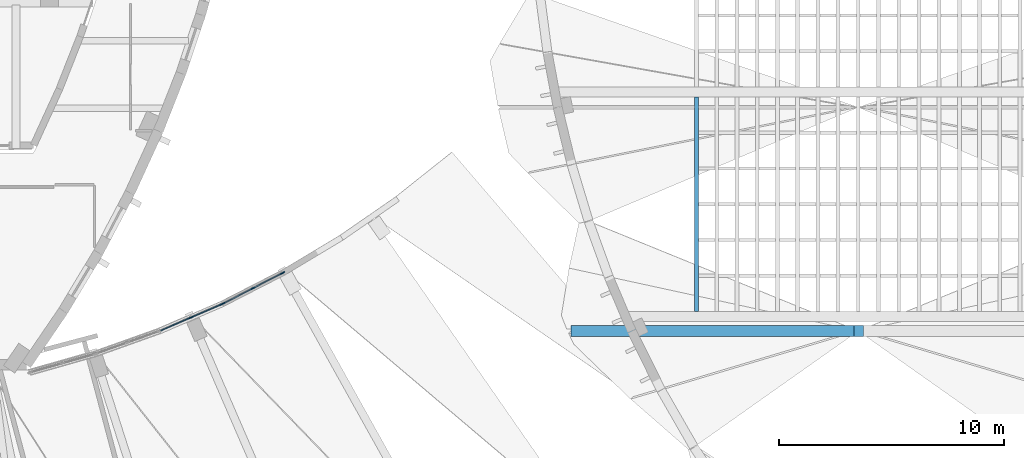
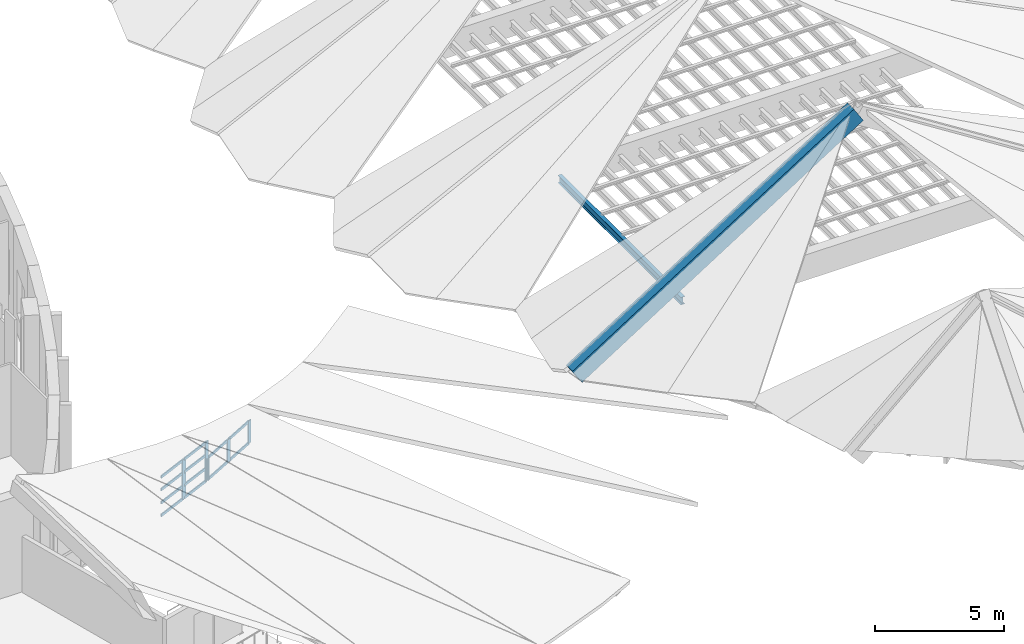
# One storey, part 17 of 56: 17 members, 2 beams, 2 elements without a shape of their own.
"""IFC4 building model written with IfcOpenShell, lengths in metres."""

from ifc_helpers import new_model, si_unit, direction, frame, origin, origin_2d, place, context, subcontext, project, spatial, rectangle, i_section, extrude, material, material_profile, profile_set, type_object, element, aggregate, save


model = new_model("IFC4")

# Units and contexts
model_context = context("Model", 3, precision=1e-05, world=origin(), true_north=direction((0.0, 1.0)))
body_context = subcontext(model_context, "Body", "Model", "MODEL_VIEW")
ifc_project = project(units=[si_unit("LENGTHUNIT", "METRE"), si_unit("AREAUNIT", "SQUARE_METRE"), si_unit("VOLUMEUNIT", "CUBIC_METRE"), si_unit("PLANEANGLEUNIT", "RADIAN"), si_unit("MASSUNIT", "GRAM", prefix="KILO")], contexts=[model_context])

# Site, building, storey
site_placement = place(None, origin())
site = spatial("IfcSite", under=ifc_project, at=site_placement, CompositionType="ELEMENT")
building_placement = place(site_placement, origin())
building = spatial("IfcBuilding", under=site, at=building_placement, Name="Tide Square Theatres", CompositionType="ELEMENT")
storey_placement = place(building_placement, frame((0.0, 0.0, 10.199951171875)))
storey = spatial("IfcBuildingStorey", under=building, at=storey_placement, Name="L02", CompositionType="ELEMENT", Elevation=10.199951171875)

# Curtain wall, members
ifc_material_1 = material(Name="Aluminium 6063-T5", Category="aluminium")
curtain_wall_type_1 = type_object("IfcCurtainWallType", Name="Stick system curtain wall 1200 high", PredefinedType="USERDEFINED", material=ifc_material_1)
curtain_wall_1_placement = place(storey_placement, origin())
curtain_wall_1 = element("IfcCurtainWall", 1, at=curtain_wall_1_placement, inside=storey, type_object=curtain_wall_type_1, Name="Foyer inner curtain wall", ObjectType="STICK SYSTEM", PredefinedType="USERDEFINED")
ifc_material_2 = material(Name="Aluminium 6063-T5", Category="aluminium")
ifc_material_profile_1 = material_profile(ifc_material_2, rectangle(XDim=0.050048828125, YDim=0.199951171875, at=origin_2d()))
ifc_profile_set_1 = profile_set([ifc_material_profile_1], Name="Aluminium 6063-T5")
member_type_1 = type_object("IfcMemberType", Name="Aluminium mullion 50 x 200", PredefinedType="MULLION", material=ifc_profile_set_1)
member_1_placement = place(storey_placement, frame((106.376220703125, 27.6669921875, 0.0), z_axis=(0.0, 0.0, 1.0), x_axis=(0.456563895791, -0.889690625476, 0.0)))
member_1 = element("IfcMember", 2, at=member_1_placement, type_object=member_type_1, Name="CW-07 mullion 1", PredefinedType="MULLION", context=body_context, shape_type="SweptSolid", body=[
    extrude(rectangle(XDim=0.050048828125, YDim=0.199951171875, at=origin_2d()), origin(), (0.0, 0.0, 1.0), 1.067626953125),
])
member_2_placement = place(storey_placement, frame((105.047119140625, 26.98486328125, 0.0), z_axis=(0.0, 0.0, 1.0), x_axis=(0.456563895791, -0.889690625476, 0.0)))
member_2 = element("IfcMember", 3, at=member_2_placement, type_object=member_type_1, Name="CW-07 mullion 2", PredefinedType="MULLION", context=body_context, shape_type="SweptSolid", body=[
    extrude(rectangle(XDim=0.050048828125, YDim=0.199951171875, at=origin_2d()), origin(), (0.0, 0.0, 1.0), 1.067626953125),
])
member_3_placement = place(storey_placement, frame((103.7177734375, 26.302734375, 0.0), z_axis=(0.0, 0.0, 1.0), x_axis=(0.456563895791, -0.889690625476, 0.0)))
member_3 = element("IfcMember", 4, at=member_3_placement, type_object=member_type_1, Name="CW-07 mullion 3", PredefinedType="MULLION", context=body_context, shape_type="SweptSolid", body=[
    extrude(rectangle(XDim=0.050048828125, YDim=0.199951171875, at=origin_2d()), origin(), (0.0, 0.0, 1.0), 1.067626953125),
])

ifc_material_3 = material(Name="Aluminium 6063-T5", Category="aluminium")
curtain_wall_type_2 = type_object("IfcCurtainWallType", Name="Stick system curtain wall 1800 high", PredefinedType="USERDEFINED", material=ifc_material_3)
curtain_wall_2_placement = place(storey_placement, origin())
curtain_wall_2 = element("IfcCurtainWall", 5, at=curtain_wall_2_placement, inside=storey, type_object=curtain_wall_type_2, Name="Foyer inner curtain wall", ObjectType="STICK SYSTEM", PredefinedType="USERDEFINED")
member_4_placement = place(storey_placement, frame((103.672607421875, 26.281494140625, 0.0), z_axis=(0.0, 0.0, 1.0), x_axis=(0.396980103276, -0.917827215549, 0.0)))
member_4 = element("IfcMember", 6, at=member_4_placement, type_object=member_type_1, Name="CW-08 mullion 1", PredefinedType="MULLION", context=body_context, shape_type="SweptSolid", body=[
    extrude(rectangle(XDim=0.050048828125, YDim=0.199951171875, at=origin_2d()), origin(), (0.0, 0.0, 1.0), 1.870361328125),
])
member_5_placement = place(storey_placement, frame((102.301513671875, 25.6884765625, 0.0), z_axis=(0.0, 0.0, 1.0), x_axis=(0.396980103276, -0.917827215549, 0.0)))
member_5 = element("IfcMember", 7, at=member_5_placement, type_object=member_type_1, Name="CW-08 mullion 2", PredefinedType="MULLION", context=body_context, shape_type="SweptSolid", body=[
    extrude(rectangle(XDim=0.050048828125, YDim=0.199951171875, at=origin_2d()), origin(), (0.0, 0.0, 1.0), 1.870361328125),
])

# Member
ifc_material_4 = material(Name="Aluminium 6063-T5", Category="aluminium")
ifc_material_profile_2 = material_profile(ifc_material_4, rectangle(XDim=0.050048828125, YDim=0.125, at=origin_2d()))
ifc_profile_set_2 = profile_set([ifc_material_profile_2], Name="Aluminium 6063-T5")
member_type_2 = type_object("IfcMemberType", Name="Aluminium transom 50 x 125", PredefinedType="USERDEFINED", material=ifc_profile_set_2)
member_6_placement = place(storey_placement, frame((106.35400390625, 27.655517578125, 0.025146484375), z_axis=(-0.88971181746, -0.456522597329, 0.0), x_axis=(0.456522597329, -0.88971181746, 0.0)))
member_6 = element("IfcMember", 8, at=member_6_placement, type_object=member_type_2, Name="CW-07 transom 1.1", ObjectType="TRANSOM", PredefinedType="USERDEFINED", context=body_context, shape_type="SweptSolid", body=[
    extrude(rectangle(XDim=0.050048828125, YDim=0.125, at=origin_2d()), origin(), (0.0, 0.0, 1.0), 1.44384765625),
])

member_7_placement = place(storey_placement, frame((106.35400390625, 27.655517578125, 1.042724609375), z_axis=(-0.88971181746, -0.456522597329, 0.0), x_axis=(0.456522597329, -0.88971181746, 0.0)))
member_7 = element("IfcMember", 9, at=member_7_placement, type_object=member_type_2, Name="CW-07 transom 1.2", ObjectType="TRANSOM", PredefinedType="USERDEFINED", context=body_context, shape_type="SweptSolid", body=[
    extrude(rectangle(XDim=0.050048828125, YDim=0.125, at=origin_2d()), origin(), (0.0, 0.0, 1.0), 1.44384765625),
])

member_8_placement = place(storey_placement, frame((105.024658203125, 26.973388671875, 0.025146484375), z_axis=(-0.88971181746, -0.456522597329, 0.0), x_axis=(0.456522597329, -0.88971181746, 0.0)))
member_8 = element("IfcMember", 10, at=member_8_placement, type_object=member_type_2, Name="CW-07 transom 2.1", ObjectType="TRANSOM", PredefinedType="USERDEFINED", context=body_context, shape_type="SweptSolid", body=[
    extrude(rectangle(XDim=0.050048828125, YDim=0.125, at=origin_2d()), origin(), (0.0, 0.0, 1.0), 1.44384765625),
])

member_9_placement = place(storey_placement, frame((105.024658203125, 26.973388671875, 1.042724609375), z_axis=(-0.88971181746, -0.456522597329, 0.0), x_axis=(0.456522597329, -0.88971181746, 0.0)))
member_9 = element("IfcMember", 11, at=member_9_placement, type_object=member_type_2, Name="CW-07 transom 2.2", ObjectType="TRANSOM", PredefinedType="USERDEFINED", context=body_context, shape_type="SweptSolid", body=[
    extrude(rectangle(XDim=0.050048828125, YDim=0.125, at=origin_2d()), origin(), (0.0, 0.0, 1.0), 1.44384765625),
])

aggregate(curtain_wall_1, [member_1, member_2, member_3, member_6, member_7, member_8, member_9])

member_10_placement = place(storey_placement, frame((103.649658203125, 26.271484375, 0.025146484375), z_axis=(-0.917810413331, -0.397018948139, 0.0), x_axis=(0.397018948139, -0.917810413331, 0.0)))
member_10 = element("IfcMember", 12, at=member_10_placement, type_object=member_type_2, Name="CW-08 transom 1.1", ObjectType="TRANSOM", PredefinedType="USERDEFINED", context=body_context, shape_type="SweptSolid", body=[
    extrude(rectangle(XDim=0.050048828125, YDim=0.125, at=origin_2d()), origin(), (0.0, 0.0, 1.0), 1.44384765625),
])

member_11_placement = place(storey_placement, frame((103.649658203125, 26.271484375, 0.62353515625), z_axis=(-0.917810413331, -0.397018948139, 0.0), x_axis=(0.397018948139, -0.917810413331, 0.0)))
member_11 = element("IfcMember", 13, at=member_11_placement, type_object=member_type_2, Name="CW-08 transom 1.2", ObjectType="TRANSOM", PredefinedType="USERDEFINED", context=body_context, shape_type="SweptSolid", body=[
    extrude(rectangle(XDim=0.050048828125, YDim=0.125, at=origin_2d()), origin(), (0.0, 0.0, 1.0), 1.44384765625),
])

member_12_placement = place(storey_placement, frame((103.649658203125, 26.271484375, 1.2470703125), z_axis=(-0.917810413331, -0.397018948139, 0.0), x_axis=(0.397018948139, -0.917810413331, 0.0)))
member_12 = element("IfcMember", 14, at=member_12_placement, type_object=member_type_2, Name="CW-08 transom 1.3", ObjectType="TRANSOM", PredefinedType="USERDEFINED", context=body_context, shape_type="SweptSolid", body=[
    extrude(rectangle(XDim=0.050048828125, YDim=0.125, at=origin_2d()), origin(), (0.0, 0.0, 1.0), 1.44384765625),
])

member_13_placement = place(storey_placement, frame((103.649658203125, 26.271484375, 1.845458984375), z_axis=(-0.917810413331, -0.397018948139, 0.0), x_axis=(0.397018948139, -0.917810413331, 0.0)))
member_13 = element("IfcMember", 15, at=member_13_placement, type_object=member_type_2, Name="CW-08 transom 1.4", ObjectType="TRANSOM", PredefinedType="USERDEFINED", context=body_context, shape_type="SweptSolid", body=[
    extrude(rectangle(XDim=0.050048828125, YDim=0.125, at=origin_2d()), origin(), (0.0, 0.0, 1.0), 1.44384765625),
])

member_14_placement = place(storey_placement, frame((102.278564453125, 25.678466796875, 0.025146484375), z_axis=(-0.917837059484, -0.396957343096, 0.0), x_axis=(0.396957343096, -0.917837059484, 0.0)))
member_14 = element("IfcMember", 16, at=member_14_placement, type_object=member_type_2, Name="CW-08 transom 2.1", ObjectType="TRANSOM", PredefinedType="USERDEFINED", context=body_context, shape_type="SweptSolid", body=[
    extrude(rectangle(XDim=0.050048828125, YDim=0.125, at=origin_2d()), origin(), (0.0, 0.0, 1.0), 1.444091796875),
])

member_15_placement = place(storey_placement, frame((102.278564453125, 25.678466796875, 0.62353515625), z_axis=(-0.917837059484, -0.396957343096, 0.0), x_axis=(0.396957343096, -0.917837059484, 0.0)))
member_15 = element("IfcMember", 17, at=member_15_placement, type_object=member_type_2, Name="CW-08 transom 2.2", ObjectType="TRANSOM", PredefinedType="USERDEFINED", context=body_context, shape_type="SweptSolid", body=[
    extrude(rectangle(XDim=0.050048828125, YDim=0.125, at=origin_2d()), origin(), (0.0, 0.0, 1.0), 1.444091796875),
])

member_16_placement = place(storey_placement, frame((102.278564453125, 25.678466796875, 1.2470703125), z_axis=(-0.917837059484, -0.396957343096, 0.0), x_axis=(0.396957343096, -0.917837059484, 0.0)))
member_16 = element("IfcMember", 18, at=member_16_placement, type_object=member_type_2, Name="CW-08 transom 2.3", ObjectType="TRANSOM", PredefinedType="USERDEFINED", context=body_context, shape_type="SweptSolid", body=[
    extrude(rectangle(XDim=0.050048828125, YDim=0.125, at=origin_2d()), origin(), (0.0, 0.0, 1.0), 1.444091796875),
])

member_17_placement = place(storey_placement, frame((102.278564453125, 25.678466796875, 1.845458984375), z_axis=(-0.917837059484, -0.396957343096, 0.0), x_axis=(0.396957343096, -0.917837059484, 0.0)))
member_17 = element("IfcMember", 19, at=member_17_placement, type_object=member_type_2, Name="CW-08 transom 2.4", ObjectType="TRANSOM", PredefinedType="USERDEFINED", context=body_context, shape_type="SweptSolid", body=[
    extrude(rectangle(XDim=0.050048828125, YDim=0.125, at=origin_2d()), origin(), (0.0, 0.0, 1.0), 1.444091796875),
])

aggregate(curtain_wall_2, [member_4, member_5, member_10, member_11, member_12, member_13, member_14, member_15, member_16, member_17])

# Beams
ifc_material_5 = material(Name="Concrete C40", Category="concrete")
ifc_material_profile_3 = material_profile(ifc_material_5, rectangle(XDim=0.5, YDim=0.800048828125, at=origin_2d()))
ifc_profile_set_3 = profile_set([ifc_material_profile_3], Name="Concrete C40")
beam_type_1 = type_object("IfcBeamType", Name="RC roof rib 500 x 800", PredefinedType="BEAM", material=ifc_profile_set_3)
beam_1_placement = place(storey_placement, frame((119.422119140625, 25.083740234375, 0.272705078125), z_axis=(0.844123465189, 0.0, 0.536148837093), x_axis=(0.0, 1.0, 0.0)))
element("IfcBeam", 20, at=beam_1_placement, inside=storey, type_object=beam_type_1, Name="Roof rib blackbox L1", PredefinedType="BEAM", context=body_context, shape_type="SweptSolid", body=[
    extrude(rectangle(XDim=0.5, YDim=0.800048828125, at=origin_2d()), origin(), (0.0, 0.0, 1.0), 14.91748046875),
])
ifc_material_6 = material(Name="Steel ASTM A572 Grade 50", Category="steel")
ifc_material_profile_4 = material_profile(ifc_material_6, i_section(OverallWidth=0.1708984375, OverallDepth=0.35498046875, WebThickness=0.007080078125, FlangeThickness=0.01171875, FilletRadius=0.011962890625, at=origin_2d()))
ifc_profile_set_4 = profile_set([ifc_material_profile_4], Name="Steel ASTM A572 Grade 50")
beam_type_2 = type_object("IfcBeamType", Name="Steel beam W 360 x 51.0", PredefinedType="BEAM", material=ifc_profile_set_4)
beam_2_placement = place(storey_placement, frame((124.800048828125, 25.952880859375, 1.320556640625), z_axis=(0.0, 1.0, 0.0), x_axis=(-1.0, 0.0, 0.0)))
element("IfcBeam", 21, at=beam_2_placement, inside=storey, type_object=beam_type_2, Name="Black Box Theatre rigging grid girder", PredefinedType="BEAM", context=body_context, shape_type="SweptSolid", body=[
    extrude(i_section(OverallWidth=0.1708984375, OverallDepth=0.35498046875, WebThickness=0.007080078125, FlangeThickness=0.01171875, FilletRadius=0.011962890625, at=origin_2d()), origin(), (0.0, 0.0, 1.0), 9.552001953125),
])

save(model, "model.ifc")
